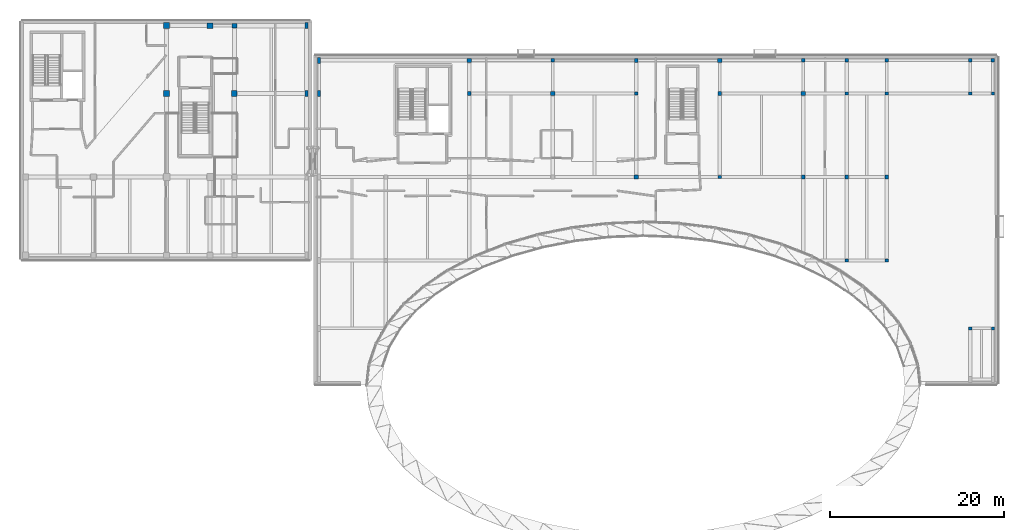
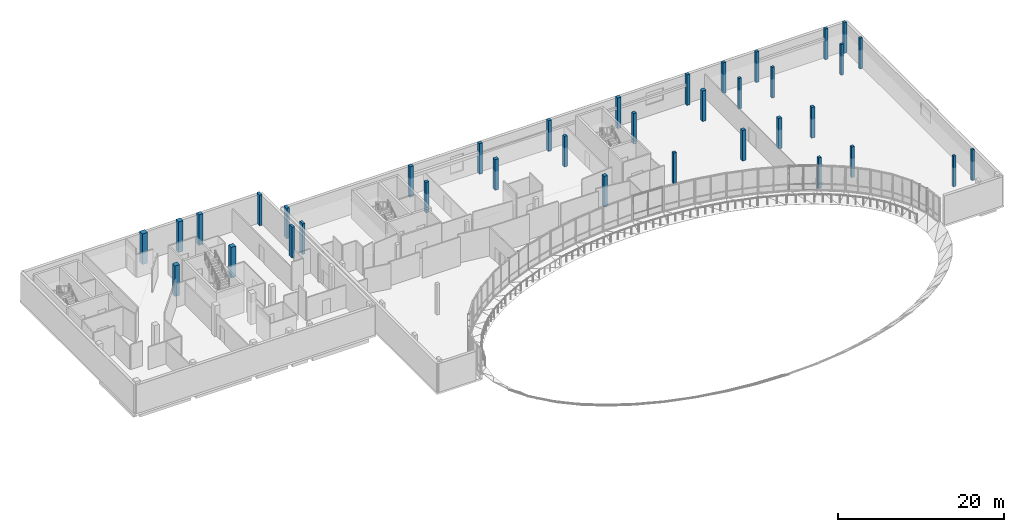
# One storey, part 4 of 41: 36 columns.
"""IFC4 building model written with IfcOpenShell, lengths in metres."""

from ifc_helpers import new_model, si_unit, direction, frame, origin, origin_2d, place, context, subcontext, project, spatial, rectangle, extrude, material, material_profile, profile_set, type_object, element, save


model = new_model("IFC4")

# Units and contexts
model_context = context("Model", 3, precision=1e-05, world=origin(), true_north=direction((0.0, 1.0)))
body_context = subcontext(model_context, "Body", "Model", "MODEL_VIEW")
ifc_project = project(units=[si_unit("LENGTHUNIT", "METRE"), si_unit("AREAUNIT", "SQUARE_METRE"), si_unit("VOLUMEUNIT", "CUBIC_METRE"), si_unit("PLANEANGLEUNIT", "RADIAN"), si_unit("MASSUNIT", "GRAM", prefix="KILO")], contexts=[model_context])

# Site, building, storey
site_placement = place(None, origin())
site = spatial("IfcSite", under=ifc_project, at=site_placement, CompositionType="ELEMENT")
building_placement = place(site_placement, origin())
building = spatial("IfcBuilding", under=site, at=building_placement, Name="Mzevani Central Library", CompositionType="ELEMENT")
storey_placement = place(building_placement, frame((0.0, 0.0, 13.800048828125)))
storey = spatial("IfcBuildingStorey", under=building, at=storey_placement, Name="L03", CompositionType="ELEMENT", Elevation=13.800048828125)

# Columns
ifc_material = material(Name="Concrete C40/50", Category="concrete")
ifc_material_profile_1 = material_profile(ifc_material, rectangle(XDim=0.35009765625, YDim=0.35009765625, at=origin_2d()), Name="RC 350x350")
ifc_profile_set_1 = profile_set([ifc_material_profile_1], Name="Concrete C40/50")
column_type_1 = type_object("IfcColumnType", Name="Column RC 350x350", PredefinedType="COLUMN", material=ifc_profile_set_1)
for number, where, z_axis, x_axis, name in (
    (1, (107.39990234375, 109.60009765625, 0.0), (0.0, 0.0, 1.0), (1.0, 0.0, 0.0), "L03 V3 Column C-01 (132)"),
    (2, (112.0, 109.60009765625, 0.0), (0.0, 0.0, 1.0), (1.0, 0.0, 0.0), "L03 V3 Column C-01 (138)"),
    (3, (121.60009765625, 82.60009765625, 0.0), (0.0, 0.0, 1.0), (1.0, 0.0, 0.0), "L03 V3 Column C-01 (141)"),
    (4, (121.60009765625, 109.60009765625, 0.0), (0.0, 0.0, 1.0), (1.0, 0.0, 0.0), "L03 V3 Column C-01 (144)"),
    (5, (124.199951171875, 82.60009765625, 0.0), (0.0, 0.0, 1.0), (1.0, 0.0, 0.0), "L03 V3 Column C-01 (147)"),
    (6, (124.199951171875, 109.60009765625, 0.0), (0.0, 0.0, 1.0), (1.0, 0.0, 0.0), "L03 V3 Column C-01 (150)"),
):
    element("IfcColumn", number, at=place(storey_placement, frame(where, z_axis=z_axis, x_axis=x_axis)), inside=storey, type_object=column_type_1, Name=name, PredefinedType="COLUMN", context=body_context, shape_type="SweptSolid", body=[
        extrude(rectangle(XDim=0.35009765625, YDim=0.35009765625, at=origin_2d()), origin(), (0.0, 0.0, 1.0), 4.5),
    ])
ifc_material_profile_2 = material_profile(ifc_material, rectangle(XDim=0.39990234375, YDim=0.39990234375, at=origin_2d()), Name="RC 400x400")
ifc_profile_set_2 = profile_set([ifc_material_profile_2], Name="Concrete C40/50")
column_type_2 = type_object("IfcColumnType", Name="Column RC 400x400", PredefinedType="COLUMN", material=ifc_profile_set_2)
for number, where, z_axis, x_axis, name in (
    (7, (73.60009765625, 113.39990234375, 0.0), (0.0, 0.0, 1.0), (1.0, 0.0, 0.0), "L03 V3 Column C-02 (117)"),
    (8, (83.199951171875, 109.60009765625, 0.0), (0.0, 0.0, 1.0), (1.0, 0.0, 0.0), "L03 V3 Column C-02 (120)"),
    (9, (92.800048828125, 100.0, 0.0), (0.0, 0.0, 1.0), (1.0, 0.0, 0.0), "L03 V3 Column C-02 (123)"),
    (10, (102.39990234375, 113.39990234375, 0.0), (0.0, 0.0, 1.0), (1.0, 0.0, 0.0), "L03 V3 Column C-02 (129)"),
    (11, (107.39990234375, 90.39990234375, 0.0), (0.0, 0.0, 1.0), (1.0, 0.0, 0.0), "L03 V3 Column C-02 (130)"),
    (12, (107.39990234375, 113.39990234375, 0.0), (0.0, 0.0, 1.0), (1.0, 0.0, 0.0), "L03 V3 Column C-02 (133)"),
    (13, (112.0, 90.39990234375, 0.0), (0.0, 0.0, 1.0), (1.0, 0.0, 0.0), "L03 V3 Column C-02 (136)"),
    (14, (112.0, 113.39990234375, 0.0), (0.0, 0.0, 1.0), (1.0, 0.0, 0.0), "L03 V3 Column C-02 (139)"),
    (15, (121.60009765625, 113.39990234375, 0.0), (0.0, 0.0, 1.0), (1.0, 0.0, 0.0), "L03 V3 Column C-02 (145)"),
    (16, (124.199951171875, 113.39990234375, 0.0), (0.0, 0.0, 1.0), (1.0, 0.0, 0.0), "L03 V3 Column C-02 (151)"),
):
    element("IfcColumn", number, at=place(storey_placement, frame(where, z_axis=z_axis, x_axis=x_axis)), inside=storey, type_object=column_type_2, Name=name, PredefinedType="COLUMN", context=body_context, shape_type="SweptSolid", body=[
        extrude(rectangle(XDim=0.39990234375, YDim=0.39990234375, at=origin_2d()), origin(), (0.0, 0.0, 1.0), 4.5),
    ])
ifc_material_profile_3 = material_profile(ifc_material, rectangle(XDim=0.449951171875, YDim=0.449951171875, at=origin_2d()), Name="RC 450x450")
ifc_profile_set_3 = profile_set([ifc_material_profile_3], Name="Concrete C40/50")
column_type_3 = type_object("IfcColumnType", Name="Column RC 450x450", PredefinedType="COLUMN", material=ifc_profile_set_3)
for number, where, z_axis, x_axis, name in (
    (17, (64.0, 109.60009765625, 0.0), (0.0, 0.0, 1.0), (1.0, 0.0, 0.0), "L03 V3 Column C-03 (112)"),
    (18, (83.199951171875, 113.39990234375, 0.0), (0.0, 0.0, 1.0), (1.0, 0.0, 0.0), "L03 V3 Column C-03 (121)"),
    (19, (92.800048828125, 109.60009765625, 0.0), (0.0, 0.0, 1.0), (1.0, 0.0, 0.0), "L03 V3 Column C-03 (124)"),
    (20, (102.39990234375, 100.0, 0.0), (0.0, 0.0, 1.0), (1.0, 0.0, 0.0), "L03 V3 Column C-03 (127)"),
    (21, (107.39990234375, 100.0, 0.0), (0.0, 0.0, 1.0), (1.0, 0.0, 0.0), "L03 V3 Column C-03 (131)"),
    (22, (112.0, 100.0, 0.0), (0.0, 0.0, 1.0), (1.0, 0.0, 0.0), "L03 V3 Column C-03 (137)"),
):
    element("IfcColumn", number, at=place(storey_placement, frame(where, z_axis=z_axis, x_axis=x_axis)), inside=storey, type_object=column_type_3, Name=name, PredefinedType="COLUMN", context=body_context, shape_type="SweptSolid", body=[
        extrude(rectangle(XDim=0.449951171875, YDim=0.449951171875, at=origin_2d()), origin(), (0.0, 0.0, 1.0), 4.5),
    ])
ifc_material_profile_4 = material_profile(ifc_material, rectangle(XDim=0.5, YDim=0.5, at=origin_2d()), Name="RC 500x500")
ifc_profile_set_4 = profile_set([ifc_material_profile_4], Name="Concrete C40/50")
column_type_4 = type_object("IfcColumnType", Name="Column RC 500x500", PredefinedType="COLUMN", material=ifc_profile_set_4)
for number, where, z_axis, x_axis, name in (
    (23, (64.0, 113.39990234375, 0.0), (0.0, 0.0, 1.0), (1.0, 0.0, 0.0), "L03 V3 Column C-04 (113)"),
    (24, (73.60009765625, 109.60009765625, 0.0), (0.0, 0.0, 1.0), (1.0, 0.0, 0.0), "L03 V3 Column C-04 (116)"),
    (25, (83.199951171875, 100.0, 0.0), (0.0, 0.0, 1.0), (1.0, 0.0, 0.0), "L03 V3 Column C-04 (119)"),
    (26, (92.800048828125, 113.39990234375, 0.0), (0.0, 0.0, 1.0), (1.0, 0.0, 0.0), "L03 V3 Column C-04 (125)"),
    (27, (102.39990234375, 109.60009765625, 0.0), (0.0, 0.0, 1.0), (1.0, 0.0, 0.0), "L03 V3 Column C-04 (128)"),
):
    element("IfcColumn", number, at=place(storey_placement, frame(where, z_axis=z_axis, x_axis=x_axis)), inside=storey, type_object=column_type_4, Name=name, PredefinedType="COLUMN", context=body_context, shape_type="SweptSolid", body=[
        extrude(rectangle(XDim=0.5, YDim=0.5, at=origin_2d()), origin(), (0.0, 0.0, 1.0), 4.5),
    ])
ifc_material_profile_5 = material_profile(ifc_material, rectangle(XDim=0.550048828125, YDim=0.550048828125, at=origin_2d()), Name="RC 550x550")
ifc_profile_set_5 = profile_set([ifc_material_profile_5], Name="Concrete C40/50")
column_type_5 = type_object("IfcColumnType", Name="Column RC 550x550", PredefinedType="COLUMN", material=ifc_profile_set_5)
column_1_placement = place(storey_placement, frame((37.0, 117.39990234375, 0.0), z_axis=(0.0, 0.0, 1.0), x_axis=(1.0, 0.0, 0.0)))
element("IfcColumn", 28, at=column_1_placement, inside=storey, type_object=column_type_5, Name="L03 V2 Column C-05 (93)", PredefinedType="COLUMN", context=body_context, shape_type="SweptSolid", body=[
    extrude(rectangle(XDim=0.550048828125, YDim=0.550048828125, at=origin_2d()), origin(), (0.0, 0.0, 1.0), 4.5),
])
ifc_material_profile_6 = material_profile(ifc_material, rectangle(XDim=0.64990234375, YDim=0.64990234375, at=origin_2d()), Name="RC 650x650")
ifc_profile_set_6 = profile_set([ifc_material_profile_6], Name="Concrete C40/50")
column_type_6 = type_object("IfcColumnType", Name="Column RC 650x650", PredefinedType="COLUMN", material=ifc_profile_set_6)
for number, where, z_axis, x_axis, name in (
    (29, (29.199951171875, 109.60009765625, 0.0), (0.0, 0.0, 1.0), (1.0, 0.0, 0.0), "L03 V2 Column C-07 (81)"),
    (30, (34.199951171875, 117.39990234375, 0.0), (0.0, 0.0, 1.0), (1.0, 0.0, 0.0), "L03 V2 Column C-07 (87)"),
    (31, (37.0, 109.60009765625, 0.0), (0.0, 0.0, 1.0), (1.0, 0.0, 0.0), "L03 V2 Column C-07 (92)"),
):
    element("IfcColumn", number, at=place(storey_placement, frame(where, z_axis=z_axis, x_axis=x_axis)), inside=storey, type_object=column_type_6, Name=name, PredefinedType="COLUMN", context=body_context, shape_type="SweptSolid", body=[
        extrude(rectangle(XDim=0.64990234375, YDim=0.64990234375, at=origin_2d()), origin(), (0.0, 0.0, 1.0), 4.5),
    ])
ifc_material_profile_7 = material_profile(ifc_material, rectangle(XDim=0.699951171875, YDim=0.699951171875, at=origin_2d()), Name="RC 700x700")
ifc_profile_set_7 = profile_set([ifc_material_profile_7], Name="Concrete C40/50")
column_type_7 = type_object("IfcColumnType", Name="Column RC 700x700", PredefinedType="COLUMN", material=ifc_profile_set_7)
column_2_placement = place(storey_placement, frame((29.199951171875, 117.39990234375, 0.0), z_axis=(0.0, 0.0, 1.0), x_axis=(1.0, 0.0, 0.0)))
element("IfcColumn", 32, at=column_2_placement, inside=storey, type_object=column_type_7, Name="L03 V2 Column C-08 (82)", PredefinedType="COLUMN", context=body_context, shape_type="SweptSolid", body=[
    extrude(rectangle(XDim=0.699951171875, YDim=0.699951171875, at=origin_2d()), origin(), (0.0, 0.0, 1.0), 4.5),
])
ifc_material_profile_8 = material_profile(ifc_material, rectangle(XDim=0.35009765625, YDim=0.699951171875, at=origin_2d()), Name="RC 350x700")
ifc_profile_set_8 = profile_set([ifc_material_profile_8], Name="Concrete C40/50")
column_type_8 = type_object("IfcColumnType", Name="Joint Twin Column RC 350x700", PredefinedType="COLUMN", material=ifc_profile_set_8)
for number, where, z_axis, x_axis, name in (
    (33, (45.300048828125, 109.60009765625, 0.0), (0.0, 0.0, 1.0), (1.0, 0.0, 0.0), "L03 V2 Column C-18 (98)"),
    (34, (45.300048828125, 117.39990234375, 0.0), (0.0, 0.0, 1.0), (1.0, 0.0, 0.0), "L03 V2 Column C-18 (99)"),
    (35, (46.75, 109.60009765625, 0.0), (0.0, 0.0, 1.0), (1.0, 0.0, 0.0), "L03 V3 Column C-18 (104)"),
    (36, (46.75, 113.39990234375, 0.0), (0.0, 0.0, 1.0), (1.0, 0.0, 0.0), "L03 V3 Column C-18 (105)"),
):
    element("IfcColumn", number, at=place(storey_placement, frame(where, z_axis=z_axis, x_axis=x_axis)), inside=storey, type_object=column_type_8, Name=name, PredefinedType="COLUMN", context=body_context, shape_type="SweptSolid", body=[
        extrude(rectangle(XDim=0.35009765625, YDim=0.699951171875, at=origin_2d()), origin(), (0.0, 0.0, 1.0), 4.5),
    ])

save(model, "model.ifc")
